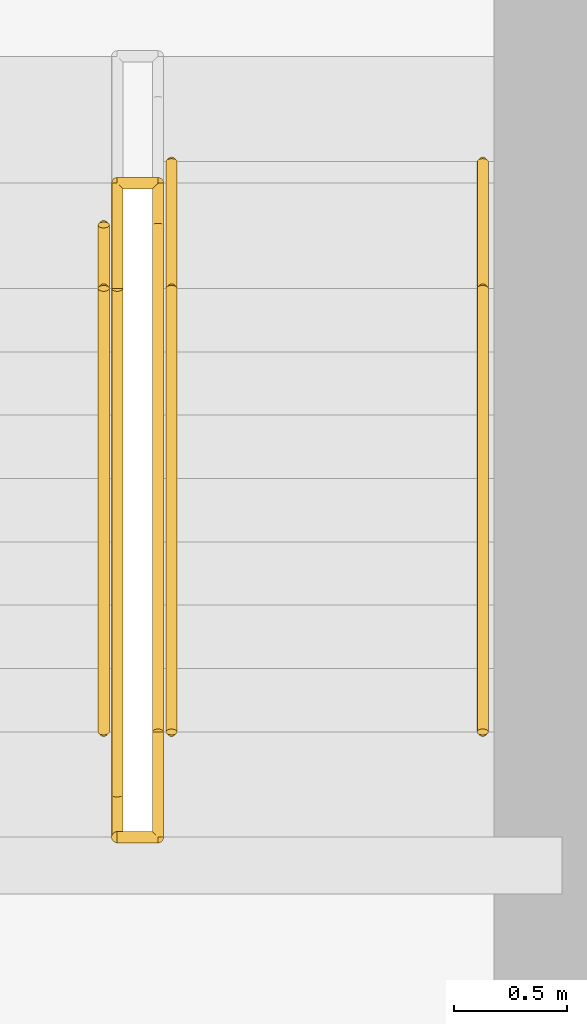
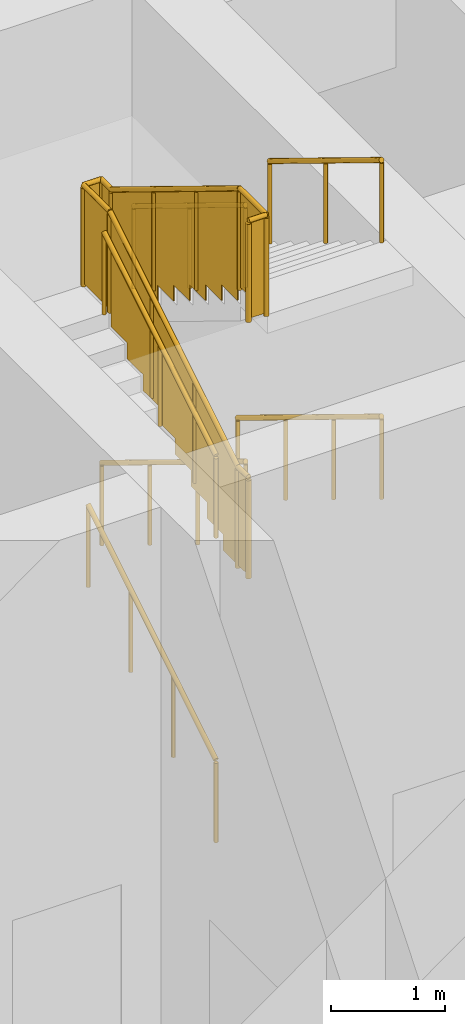
# One storey, part 17 of 17: 8 railings.
"""IFC4 building model written with IfcOpenShell, lengths in metres."""

import ifcopenshell
import ifcopenshell.guid

model = None  # the IFC model being written
_history = None  # IfcOwnerHistory: only IFC2X3 demands one
_inside = {}  # id of a spatial element -> (the spatial element, [elements in it])
_under = {}  # id of a project, library or spatial element -> (it, [spatial elements below it])
_declared = {}  # id of a project -> (the project, [libraries it declares])
_typed = {}  # id of a type object -> (the type object, [elements of that type])
_made_of = {}  # id of a material, layer set ... -> (it, [elements and type objects made of it])


def new_model(schema):
    """Start an empty IFC model of exactly this schema.

    Asked for "IFC4X3", IfcOpenShell would pick the latest addendum, in which some entities
    have other attributes; the version numbers below select the first issue.
    IFC2X3 requires an IfcOwnerHistory on every rooted entity: one is made here for all.
    """
    global model, _history
    if schema == "IFC4X3":
        model = ifcopenshell.file(schema_version=(4, 3, 0, 0))
    else:
        model = ifcopenshell.file(schema=schema)
    _inside.clear()
    _under.clear()
    _declared.clear()
    _typed.clear()
    _made_of.clear()
    _history = None
    if model.schema == "IFC2X3":
        org = make("IfcOrganization", Name="unknown")
        user = make(
            "IfcPersonAndOrganization",
            ThePerson=make("IfcPerson", FamilyName="unknown"),
            TheOrganization=org,
        )
        app = make(
            "IfcApplication",
            ApplicationDeveloper=org,
            Version="unknown",
            ApplicationFullName="unknown",
            ApplicationIdentifier="unknown",
        )
        _history = make(
            "IfcOwnerHistory",
            OwningUser=user,
            OwningApplication=app,
            ChangeAction="ADDED",
            CreationDate=0,
        )
    return model


def make(cls, **values):
    """One entity of the class cls with the attributes given. An attribute that is None is left unset."""
    return model.create_entity(
        cls, **{name: value for name, value in values.items() if value is not None}
    )


def rooted(cls, **values):
    """An entity with a GlobalId (a new one), such as an element, a storey or a relation."""
    return make(cls, GlobalId=ifcopenshell.guid.new(), OwnerHistory=_history, **values)


def si_unit(unit_type, name, prefix=None):
    """IfcSIUnit, for example si_unit("LENGTHUNIT", "METRE", prefix="MILLI")."""
    return make("IfcSIUnit", UnitType=unit_type, Prefix=prefix, Name=name)


def assignment(units):
    """IfcUnitAssignment: the units of a project."""
    return None if units is None else make("IfcUnitAssignment", Units=units)


def point(xyz):
    """IfcCartesianPoint."""
    return None if xyz is None else make("IfcCartesianPoint", Coordinates=xyz)


def direction(xyz):
    """IfcDirection."""
    return None if xyz is None else make("IfcDirection", DirectionRatios=xyz)


def frame(location, z_axis=None, x_axis=None):
    """IfcAxis2Placement3D, a coordinate frame: its origin and axes. An axis left out is left unset."""
    return make(
        "IfcAxis2Placement3D",
        Location=point(location),
        Axis=direction(z_axis),
        RefDirection=direction(x_axis),
    )


def frame_2d(location, x_axis=None):
    """IfcAxis2Placement2D, a coordinate frame in the plane: its origin and x axis."""
    return make(
        "IfcAxis2Placement2D", Location=point(location), RefDirection=direction(x_axis)
    )


def origin():
    """The frame at (0, 0, 0) with its axes left unset."""
    return frame((0.0, 0.0, 0.0))


def origin_2d():
    """The frame at (0, 0) in the plane with its x axis left unset."""
    return frame_2d((0.0, 0.0))


def place(relative_to, where):
    """IfcLocalPlacement: puts the frame where relative to a parent placement (None: the world)."""
    return make(
        "IfcLocalPlacement", PlacementRelTo=relative_to, RelativePlacement=where
    )


def context(
    kind, dimensions, precision=None, world=None, true_north=None, identifier=None
):
    """IfcGeometricRepresentationContext, for example the 3D "Model" context."""
    return make(
        "IfcGeometricRepresentationContext",
        ContextIdentifier=identifier,
        ContextType=kind,
        CoordinateSpaceDimension=dimensions,
        Precision=precision,
        WorldCoordinateSystem=world,
        TrueNorth=true_north,
    )


def subcontext(parent, identifier, kind, view, scale=None):
    """IfcGeometricRepresentationSubContext, for example "Body" below "Model"."""
    return make(
        "IfcGeometricRepresentationSubContext",
        ContextIdentifier=identifier,
        ContextType=kind,
        ParentContext=parent,
        TargetScale=scale,
        TargetView=view,
    )


def project(units=None, contexts=None):
    """IfcProject with its units and contexts."""
    return rooted(
        "IfcProject",
        Name="project",
        RepresentationContexts=contexts,
        UnitsInContext=assignment(units),
    )


def spatial(cls, under=None, at=None, **own):
    """A site, building, storey or space (cls), placed at a placement, below another one or the project."""
    s = rooted(cls, ObjectPlacement=at, **own)
    if under is not None:
        _under.setdefault(under.id(), (under, []))[1].append(s)
    return s


def polyline(points):
    """IfcPolyline through the points."""
    return make("IfcPolyline", Points=[point(p) for p in points])


def profile(cls, at=None, kind="AREA", **sizes):
    """A parametric profile (cls). Its sizes go by their IFC names, for example OverallWidth=200.0."""
    return make(cls, ProfileType=kind, Position=at, **sizes)


def circle(**sizes):
    """IfcCircleProfileDef."""
    return profile("IfcCircleProfileDef", **sizes)


def outline(outer, holes=None, kind="AREA"):
    """IfcArbitraryClosedProfileDef: a profile drawn as a closed curve; with holes, ...WithVoids."""
    if holes is None:
        return make("IfcArbitraryClosedProfileDef", ProfileType=kind, OuterCurve=outer)
    return make(
        "IfcArbitraryProfileDefWithVoids",
        ProfileType=kind,
        OuterCurve=outer,
        InnerCurves=holes,
    )


def extrude(swept, where, along, depth):
    """IfcExtrudedAreaSolid: the profile swept, set in the frame where, extruded along a direction by depth."""
    return make(
        "IfcExtrudedAreaSolid",
        SweptArea=swept,
        Position=where,
        ExtrudedDirection=direction(along),
        Depth=depth,
    )


def shape(context_of_items, identifier, shape_type, items):
    """IfcShapeRepresentation: the items that make up one representation, for example the "Body"."""
    return make(
        "IfcShapeRepresentation",
        ContextOfItems=context_of_items,
        RepresentationIdentifier=identifier,
        RepresentationType=shape_type,
        Items=items,
    )


def material(Name=None, Category=None):
    """IfcMaterial."""
    return make("IfcMaterial", Name=Name, Category=Category)


def made_of(thing, what):
    """Note that an element or type object is made of a material, layer set ...; save() writes the relation."""
    if what is not None:
        _made_of.setdefault(what.id(), (what, []))[1].append(thing)
    return thing


def type_object(cls, material=None, **own):
    """A type object (cls), such as IfcWallType, which elements share."""
    return made_of(rooted(cls, **own), material)


def element(
    cls,
    number,
    at=None,
    inside=None,
    cuts=None,
    type_object=None,
    material=None,
    context=None,
    identifier="Body",
    shape_type=None,
    held_by="IfcProductDefinitionShape",
    body=None,
    shapes=None,
    **own,
):
    """One element of the class cls, such as IfcWall. Its Tag is "e" and its number.

    at: its placement. inside: the storey or other place that contains it. cuts: it is an
    opening in that element (IfcRelVoidsElement). A single representation is given by context,
    identifier, shape_type and body (its items); several are given by shapes. held_by: the class
    of the entity that holds the representations. save() writes the other relations.
    """
    e = rooted(cls, Tag="e%d" % number, ObjectPlacement=at, **own)
    if body is not None:
        shapes = [shape(context, identifier, shape_type, body)]
    if shapes is not None:
        e.Representation = make(held_by, Representations=shapes)
    if inside is not None:
        _inside.setdefault(inside.id(), (inside, []))[1].append(e)
    if cuts is not None:
        rooted(
            "IfcRelVoidsElement", RelatingBuildingElement=cuts, RelatedOpeningElement=e
        )
    if type_object is not None:
        _typed.setdefault(type_object.id(), (type_object, []))[1].append(e)
    return made_of(e, material)


def aggregate(whole, parts):
    """IfcRelAggregates: a whole, such as a stair, and the parts it consists of."""
    return rooted("IfcRelAggregates", RelatingObject=whole, RelatedObjects=parts)


def save(model, path):
    """Write the relations noted so far, then the file.

    IfcRelAggregates (storeys below a building ...), IfcRelContainedInSpatialStructure (elements
    in a storey), IfcRelDefinesByType, IfcRelAssociatesMaterial and IfcRelDeclares: one each for
    every whole, place, type object, material and project.
    """
    for whole, parts in _under.values():
        aggregate(whole, parts)
    for where, things in _inside.values():
        rooted(
            "IfcRelContainedInSpatialStructure",
            RelatedElements=things,
            RelatingStructure=where,
        )
    for kind, things in _typed.values():
        rooted("IfcRelDefinesByType", RelatedObjects=things, RelatingType=kind)
    for what, things in _made_of.values():
        rooted("IfcRelAssociatesMaterial", RelatedObjects=things, RelatingMaterial=what)
    for by, libraries in _declared.values():
        rooted("IfcRelDeclares", RelatingContext=by, RelatedDefinitions=libraries)
    model.write(path)


model = new_model("IFC4")

# Units and contexts
model_context = context("Model", 3, precision=1e-05, world=origin(), true_north=direction((0.0, 1.0)))
body_context = subcontext(model_context, "Body", "Model", "MODEL_VIEW")
ifc_project = project(units=[si_unit("LENGTHUNIT", "METRE"), si_unit("AREAUNIT", "SQUARE_METRE"), si_unit("VOLUMEUNIT", "CUBIC_METRE"), si_unit("PLANEANGLEUNIT", "RADIAN"), si_unit("MASSUNIT", "GRAM", prefix="KILO")], contexts=[model_context])

# Site, building, storey
site_placement = place(None, origin())
site = spatial("IfcSite", under=ifc_project, at=site_placement, CompositionType="ELEMENT")
building_placement = place(site_placement, origin())
building = spatial("IfcBuilding", under=site, at=building_placement, Name="Kilele Tower Hotel", CompositionType="ELEMENT")
storey_placement = place(building_placement, frame((0.0, 0.0, 151.89990234375)))
storey = spatial("IfcBuildingStorey", under=building, at=storey_placement, Name="L39", CompositionType="ELEMENT", Elevation=151.89990234375)

# Railings
ifc_material_1 = material(Name="Steel handrail", Category="steel")
railing_type_1 = type_object("IfcRailingType", Name="Handrail 900", PredefinedType="HANDRAIL", material=ifc_material_1)
railing_1_placement = place(storey_placement, frame((33.97509765625, 22.239990234375, 0.171630859375)))
element("IfcRailing", 1, at=railing_1_placement, inside=storey, type_object=railing_type_1, Name="Handrail ST2 flight 1", PredefinedType="HANDRAIL", context=body_context, shape_type="SweptSolid", body=[
    extrude(circle(Radius=0.02490234375, at=origin_2d()), frame((0.0, 0.0, 0.875), z_axis=(0.0, 0.852865665234, 0.522130402356), x_axis=(-1.0, 0.0, 0.0)), (0.0, 0.0, 1.0), 2.62646484375),
    extrude(circle(Radius=0.02001953125, at=origin_2d()), origin(), (0.0, 0.0, 1.0), 0.849853515625),
    extrude(circle(Radius=0.02001953125, at=origin_2d()), frame((0.0, 0.74658203125, 0.45703125)), (0.0, 0.0, 1.0), 0.849853515625),
    extrude(circle(Radius=0.02001953125, at=origin_2d()), frame((0.0, 1.493408203125, 0.914306640625)), (0.0, 0.0, 1.0), 0.849853515625),
    extrude(circle(Radius=0.02001953125, at=origin_2d()), frame((0.0, 2.239990234375, 1.371337890625)), (0.0, 0.0, 1.0), 0.849853515625),
])
for number, where, name in (
    (2, (34.27490234375, 24.760009765625, 1.71435546875), "Handrail ST2 flight 2"),
    (3, (35.64990234375, 24.760009765625, 1.71435546875), "Handrail ST2 flight 2"),
):
    element("IfcRailing", number, at=place(storey_placement, frame(where)), inside=storey, type_object=railing_type_1, Name=name, PredefinedType="HANDRAIL", context=body_context, shape_type="SweptSolid", body=[
        extrude(circle(Radius=0.02490234375, at=origin_2d()), frame((0.0, 0.0, 0.875), z_axis=(0.0, -0.852836285881, 0.522178388565), x_axis=(1.0, 0.0, 0.0)), (0.0, 0.0, 1.0), 2.954833984375),
        extrude(circle(Radius=0.02001953125, at=origin_2d()), origin(), (0.0, 0.0, 1.0), 0.849853515625),
        extrude(circle(Radius=0.02001953125, at=origin_2d()), frame((0.0, -0.840087890625, 0.514404296875)), (0.0, 0.0, 1.0), 0.849853515625),
        extrude(circle(Radius=0.02001953125, at=origin_2d()), frame((0.0, -1.679931640625, 1.028564453125)), (0.0, 0.0, 1.0), 0.849853515625),
        extrude(circle(Radius=0.02001953125, at=origin_2d()), frame((0.0, -2.52001953125, 1.54296875)), (0.0, 0.0, 1.0), 0.849853515625),
    ])
railing_2_placement = place(storey_placement, frame((33.97509765625, 22.239990234375, 3.4287109375)))
element("IfcRailing", 4, at=railing_2_placement, inside=storey, type_object=railing_type_1, Name="Handrail ST2 flight 3", PredefinedType="HANDRAIL", context=body_context, shape_type="SweptSolid", body=[
    extrude(circle(Radius=0.02490234375, at=origin_2d()), frame((0.0, 0.0, 0.875), z_axis=(0.0, 0.852856131449, 0.522145974847), x_axis=(-1.0, 0.0, 0.0)), (0.0, 0.0, 1.0), 2.298095703125),
    extrude(circle(Radius=0.02001953125, at=origin_2d()), origin(), (0.0, 0.0, 1.0), 0.849853515625),
    extrude(circle(Radius=0.02001953125, at=origin_2d()), frame((0.0, 0.97998046875, 0.60009765625)), (0.0, 0.0, 1.0), 0.849853515625),
    extrude(circle(Radius=0.02001953125, at=origin_2d()), frame((0.0, 1.9599609375, 1.199951171875)), (0.0, 0.0, 1.0), 0.849853515625),
])
for number, where, name in (
    (5, (34.27490234375, 24.199951171875, 4.800048828125), "Handrail ST2 flight 4"),
    (6, (35.64990234375, 24.199951171875, 4.800048828125), "Handrail ST2 flight 4"),
):
    element("IfcRailing", number, at=place(storey_placement, frame(where)), inside=storey, type_object=railing_type_1, Name=name, PredefinedType="HANDRAIL", context=body_context, shape_type="SweptSolid", body=[
        extrude(circle(Radius=0.02490234375, at=origin_2d()), frame((0.0, 0.0, 0.875), z_axis=(0.0, -0.852856131449, 0.522145974847), x_axis=(1.0, 0.0, 0.0)), (0.0, 0.0, 1.0), 2.298095703125),
        extrude(circle(Radius=0.02001953125, at=origin_2d()), origin(), (0.0, 0.0, 1.0), 0.849853515625),
        extrude(circle(Radius=0.02001953125, at=origin_2d()), frame((0.0, -0.97998046875, 0.60009765625)), (0.0, 0.0, 1.0), 0.849853515625),
        extrude(circle(Radius=0.02001953125, at=origin_2d()), frame((0.0, -1.9599609375, 1.199951171875)), (0.0, 0.0, 1.0), 0.849853515625),
    ])
ifc_material_2 = material(Name="Steel guard", Category="steel")
railing_type_2 = type_object("IfcRailingType", Name="Stair guard 1100", PredefinedType="GUARDRAIL", material=ifc_material_2)
railing_3_placement = place(storey_placement, frame((34.034912109375, 21.77490234375, 3.257080078125)))
element("IfcRailing", 7, at=railing_3_placement, inside=storey, type_object=railing_type_2, Name="Stair well guard ST2 flight 3", PredefinedType="GUARDRAIL", context=body_context, shape_type="SweptSolid", body=[
    extrude(circle(Radius=0.02490234375, at=origin_2d()), frame((0.0, 0.0, 1.0751953125), z_axis=(0.0, 1.0, 0.0), x_axis=(-1.0, 0.0, 0.0)), (0.0, 0.0, 1.0), 0.18505859375),
    extrude(circle(Radius=0.02490234375, at=origin_2d()), frame((0.0, 0.18505859375, 1.0751953125), z_axis=(0.0, 0.852824270871, 0.522198011308), x_axis=(-1.0, 0.0, 0.0)), (0.0, 0.0, 1.0), 2.62646484375),
    extrude(circle(Radius=0.02490234375, at=origin_2d()), frame((0.0, 2.425048828125, 2.44677734375), z_axis=(0.0, 1.0, 0.0), x_axis=(-1.0, 0.0, 0.0)), (0.0, 0.0, 1.0), 0.465087890625),
    extrude(circle(Radius=0.02490234375, at=origin_2d()), frame((0.0, 2.89013671875, 2.44677734375), z_axis=(1.0, 0.0, 0.0), x_axis=(0.0, 1.0, 0.0)), (0.0, 0.0, 1.0), 0.18017578125),
    extrude(circle(Radius=0.02490234375, at=origin_2d()), origin(), (0.0, 0.0, 1.0), 1.050048828125),
    extrude(circle(Radius=0.02490234375, at=origin_2d()), frame((0.0, 0.18505859375, 0.0)), (0.0, 0.0, 1.0), 1.050048828125),
    extrude(circle(Radius=0.02490234375, at=origin_2d()), frame((0.0, 0.931640625, 0.457275390625)), (0.0, 0.0, 1.0), 1.050048828125),
    extrude(circle(Radius=0.02490234375, at=origin_2d()), frame((0.0, 1.678466796875, 0.914306640625)), (0.0, 0.0, 1.0), 1.050048828125),
    extrude(circle(Radius=0.02490234375, at=origin_2d()), frame((0.0, 2.425048828125, 1.37158203125)), (0.0, 0.0, 1.0), 1.050048828125),
    extrude(circle(Radius=0.02490234375, at=origin_2d()), frame((0.0, 2.89013671875, 1.37158203125)), (0.0, 0.0, 1.0), 1.050048828125),
    extrude(circle(Radius=0.02490234375, at=origin_2d()), frame((0.18017578125, 2.89013671875, 1.37158203125)), (0.0, 0.0, 1.0), 1.050048828125),
    extrude(outline(polyline([(0.0, 0.030029296875), (0.172607421875, 0.030029296875), (0.172607421875, 1.050048828125), (0.0, 1.050048828125), (0.0, 0.030029296875)])), frame((-0.005859375, 0.0, 0.0), z_axis=(1.0, 0.0, 0.0), x_axis=(0.0, 1.0, 0.0)), (0.0, 0.0, 1.0), 0.011962890625),
    extrude(outline(polyline([(0.012451171875, 0.030029296875), (0.25, 0.030029296875), (0.25, 0.201416015625), (0.530029296875, 0.201416015625), (0.530029296875, 0.373046875), (0.81005859375, 0.373046875), (0.81005859375, 0.54443359375), (1.08984375, 0.54443359375), (1.08984375, 0.7158203125), (1.369873046875, 0.7158203125), (1.369873046875, 0.88720703125), (1.64990234375, 0.88720703125), (1.64990234375, 1.05859375), (1.929931640625, 1.05859375), (1.929931640625, 1.230224609375), (2.2099609375, 1.230224609375), (2.2099609375, 1.401611328125), (2.2275390625, 1.401611328125), (2.2275390625, 2.40966796875), (0.012451171875, 1.053466796875), (0.012451171875, 0.030029296875)])), frame((-0.005859375, 0.18505859375, 0.0), z_axis=(1.0, 0.0, 0.0), x_axis=(0.0, 1.0, 0.0)), (0.0, 0.0, 1.0), 0.011962890625),
    extrude(outline(polyline([(0.012451171875, 0.030029296875), (0.45263671875, 0.030029296875), (0.45263671875, 1.050048828125), (0.012451171875, 1.050048828125), (0.012451171875, 0.030029296875)])), frame((-0.005859375, 2.425048828125, 1.37158203125), z_axis=(1.0, 0.0, 0.0), x_axis=(0.0, 1.0, 0.0)), (0.0, 0.0, 1.0), 0.011962890625),
    extrude(outline(polyline([(0.012451171875, 0.030029296875), (0.18017578125, 0.030029296875), (0.18017578125, 1.050048828125), (0.012451171875, 1.050048828125), (0.012451171875, 0.030029296875)])), frame((0.0, 2.89599609375, 1.37158203125), z_axis=(0.0, -1.0, 0.0), x_axis=(1.0, 0.0, 0.0)), (0.0, 0.0, 1.0), 0.011962890625),
])
railing_4_placement = place(storey_placement, frame((34.215087890625, 24.6650390625, 4.628662109375)))
element("IfcRailing", 8, at=railing_4_placement, inside=storey, type_object=railing_type_2, Name="Stair well guard ST2 flight 4", PredefinedType="GUARDRAIL", context=body_context, shape_type="SweptSolid", body=[
    extrude(circle(Radius=0.02490234375, at=origin_2d()), frame((0.0, 0.0, 1.0751953125), z_axis=(0.0, -1.0, 0.0), x_axis=(1.0, 0.0, 0.0)), (0.0, 0.0, 1.0), 0.18505859375),
    extrude(circle(Radius=0.02490234375, at=origin_2d()), frame((0.0, -0.18505859375, 1.0751953125), z_axis=(0.0, -0.852865665234, 0.522130402356), x_axis=(1.0, 0.0, 0.0)), (0.0, 0.0, 1.0), 2.62646484375),
    extrude(circle(Radius=0.02490234375, at=origin_2d()), frame((0.0, -2.425048828125, 2.4462890625), z_axis=(0.0, -1.0, 0.0), x_axis=(1.0, 0.0, 0.0)), (0.0, 0.0, 1.0), 0.465087890625),
    extrude(circle(Radius=0.02490234375, at=origin_2d()), frame((0.0, -2.89013671875, 2.4462890625), z_axis=(-1.0, 0.0, 0.0), x_axis=(0.0, -1.0, 0.0)), (0.0, 0.0, 1.0), 0.18017578125),
    extrude(circle(Radius=0.02490234375, at=origin_2d()), origin(), (0.0, 0.0, 1.0), 1.050048828125),
    extrude(circle(Radius=0.02490234375, at=origin_2d()), frame((0.0, -0.18505859375, 0.0)), (0.0, 0.0, 1.0), 1.050048828125),
    extrude(circle(Radius=0.02490234375, at=origin_2d()), frame((0.0, -0.931640625, 0.45703125)), (0.0, 0.0, 1.0), 1.050048828125),
    extrude(circle(Radius=0.02490234375, at=origin_2d()), frame((0.0, -1.678466796875, 0.914306640625)), (0.0, 0.0, 1.0), 1.050048828125),
    extrude(circle(Radius=0.02490234375, at=origin_2d()), frame((0.0, -2.425048828125, 1.371337890625)), (0.0, 0.0, 1.0), 1.050048828125),
    extrude(circle(Radius=0.02490234375, at=origin_2d()), frame((0.0, -2.89013671875, 1.371337890625)), (0.0, 0.0, 1.0), 1.050048828125),
    extrude(circle(Radius=0.02490234375, at=origin_2d()), frame((-0.18017578125, -2.89013671875, 1.371337890625)), (0.0, 0.0, 1.0), 1.050048828125),
    extrude(outline(polyline([(0.0, 0.030029296875), (0.172607421875, 0.030029296875), (0.172607421875, 1.050048828125), (0.0, 1.050048828125), (0.0, 0.030029296875)])), frame((0.005859375, 0.0, 0.0), z_axis=(-1.0, 0.0, 0.0), x_axis=(0.0, -1.0, 0.0)), (0.0, 0.0, 1.0), 0.011962890625),
    extrude(outline(polyline([(0.012451171875, 0.030029296875), (0.25, 0.030029296875), (0.25, 0.201416015625), (0.530029296875, 0.201416015625), (0.530029296875, 0.372802734375), (0.81005859375, 0.372802734375), (0.81005859375, 0.544189453125), (1.08984375, 0.544189453125), (1.08984375, 0.7158203125), (1.369873046875, 0.7158203125), (1.369873046875, 0.88720703125), (1.64990234375, 0.88720703125), (1.64990234375, 1.05859375), (1.929931640625, 1.05859375), (1.929931640625, 1.22998046875), (2.2099609375, 1.22998046875), (2.2099609375, 1.4013671875), (2.2275390625, 1.4013671875), (2.2275390625, 2.409423828125), (0.012451171875, 1.053466796875), (0.012451171875, 0.030029296875)])), frame((0.005859375, -0.18505859375, 0.0), z_axis=(-1.0, 0.0, 0.0), x_axis=(0.0, -1.0, 0.0)), (0.0, 0.0, 1.0), 0.011962890625),
    extrude(outline(polyline([(0.012451171875, 0.030029296875), (0.45263671875, 0.030029296875), (0.45263671875, 1.050048828125), (0.012451171875, 1.050048828125), (0.012451171875, 0.030029296875)])), frame((0.005859375, -2.425048828125, 1.371337890625), z_axis=(-1.0, 0.0, 0.0), x_axis=(0.0, -1.0, 0.0)), (0.0, 0.0, 1.0), 0.011962890625),
    extrude(outline(polyline([(0.012451171875, 0.030029296875), (0.18017578125, 0.030029296875), (0.18017578125, 1.050048828125), (0.012451171875, 1.050048828125), (0.012451171875, 0.030029296875)])), frame((0.0, -2.89599609375, 1.371337890625), z_axis=(0.0, 1.0, 0.0), x_axis=(-1.0, 0.0, 0.0)), (0.0, 0.0, 1.0), 0.011962890625),
])

save(model, "model.ifc")
